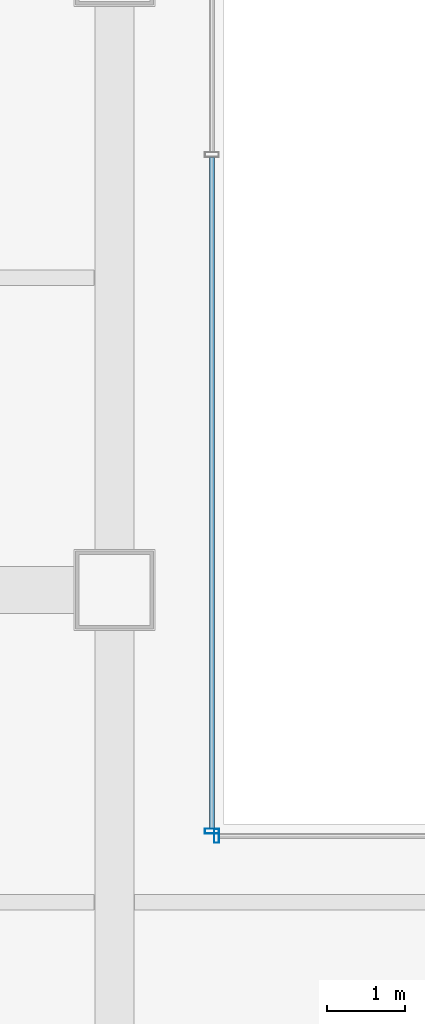
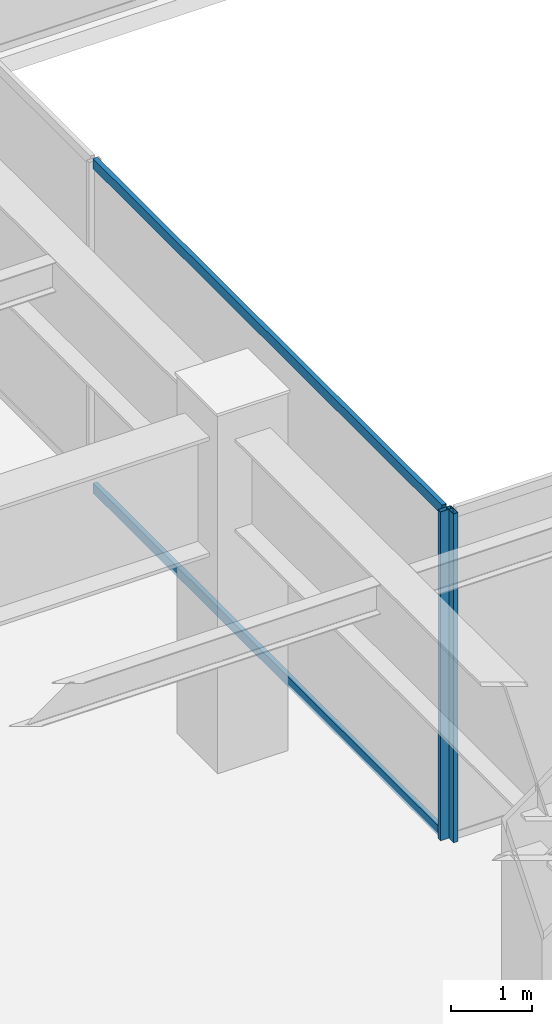
# One storey, part 15 of 42: 4 members, 2 elements without a shape of their own.
"""IFC4 building model written with IfcOpenShell, lengths in metres."""

from ifc_helpers import new_model, si_unit, direction, frame, origin, origin_2d, place, context, subcontext, project, spatial, hollow_rectangle, extrude, material, material_profile, profile_set, type_object, element, aggregate, save


model = new_model("IFC4")

# Units and contexts
model_context = context("Model", 3, precision=1e-05, world=origin(), true_north=direction((0.0, 1.0)))
body_context = subcontext(model_context, "Body", "Model", "MODEL_VIEW")
ifc_project = project(units=[si_unit("LENGTHUNIT", "METRE"), si_unit("AREAUNIT", "SQUARE_METRE"), si_unit("VOLUMEUNIT", "CUBIC_METRE"), si_unit("PLANEANGLEUNIT", "RADIAN"), si_unit("MASSUNIT", "GRAM", prefix="KILO")], contexts=[model_context])

# Site, building, storey
site_placement = place(None, origin())
site = spatial("IfcSite", under=ifc_project, at=site_placement, CompositionType="ELEMENT")
building_placement = place(site_placement, origin())
building = spatial("IfcBuilding", under=site, at=building_placement, Name="Saevonmaru Cultural Tower", CompositionType="ELEMENT")
storey_placement = place(building_placement, frame((0.0, 0.0, 33.0)))
storey = spatial("IfcBuildingStorey", under=building, at=storey_placement, Name="L06", CompositionType="ELEMENT", Elevation=33.0)

# Curtain wall, member
ifc_material = material(Name="Satin Bronze Anodised Aluminium", Category="aluminium")
curtain_wall_type = type_object("IfcCurtainWallType", Name="CW-ATR-GLZ", PredefinedType="NOTDEFINED", material=ifc_material)
curtain_wall_1_placement = place(storey_placement, origin())
curtain_wall_1 = element("IfcCurtainWall", 1, at=curtain_wall_1_placement, inside=storey, type_object=curtain_wall_type, Name="L06 Vertical Atrium Glazed Smoke Screen 1", PredefinedType="NOTDEFINED")
ifc_material_profile_1 = material_profile(ifc_material, hollow_rectangle(XDim=0.06494140625, YDim=0.179931640625, WallThickness=0.00390625, at=origin_2d()), Name="ALU-MULL-180x65x4")
ifc_profile_set_1 = profile_set([ifc_material_profile_1], Name="Satin Bronze Anodised Aluminium")
member_type_1 = type_object("IfcMemberType", Name="ML-CW-INT-180x65", PredefinedType="MULLION", material=ifc_profile_set_1)
member_1_placement = place(storey_placement, frame((24.110107421875, 20.85009765625, 0.0), z_axis=(0.0, 0.0, 1.0), x_axis=(1.0, 0.0, 0.0)))
member_1 = element("IfcMember", 2, at=member_1_placement, type_object=member_type_1, Name="CW-ATR-L06-1 mullion 1", PredefinedType="MULLION", context=body_context, shape_type="SweptSolid", body=[
    extrude(hollow_rectangle(XDim=0.06494140625, YDim=0.179931640625, WallThickness=0.00390625, at=origin_2d()), origin(), (0.0, 0.0, 1.0), 4.949951171875),
])
aggregate(curtain_wall_1, [member_1])

# Curtain wall, members
curtain_wall_2_placement = place(storey_placement, origin())
curtain_wall_2 = element("IfcCurtainWall", 3, at=curtain_wall_2_placement, inside=storey, type_object=curtain_wall_type, Name="L06 Vertical Atrium Glazed Smoke Screen 4", PredefinedType="NOTDEFINED")
member_2_placement = place(storey_placement, frame((24.050048828125, 20.909912109375, 0.0), z_axis=(0.0, 0.0, 1.0), x_axis=(0.0, -1.0, 0.0)))
member_2 = element("IfcMember", 4, at=member_2_placement, type_object=member_type_1, Name="CW-ATR-L06-4 mullion 3", PredefinedType="MULLION", context=body_context, shape_type="SweptSolid", body=[
    extrude(hollow_rectangle(XDim=0.06494140625, YDim=0.179931640625, WallThickness=0.00390625, at=origin_2d()), origin(), (0.0, 0.0, 1.0), 4.949951171875),
])
ifc_material_profile_2 = material_profile(ifc_material, hollow_rectangle(XDim=0.06494140625, YDim=0.14990234375, WallThickness=0.00390625, at=origin_2d()), Name="ALU-TRAN-150x65x4")
ifc_profile_set_2 = profile_set([ifc_material_profile_2], Name="Satin Bronze Anodised Aluminium")
member_type_2 = type_object("IfcMemberType", Name="TR-CW-INT-150x65", PredefinedType="USERDEFINED", material=ifc_profile_set_2)
member_3_placement = place(storey_placement, frame((24.050048828125, 29.547607421875, 0.032470703125), z_axis=(0.0, -1.0, 0.0), x_axis=(1.0, 0.0, 0.0)))
member_3 = element("IfcMember", 5, at=member_3_placement, type_object=member_type_2, Name="CW-ATR-L06-4 transom 2.1", ObjectType="TRANSOM", PredefinedType="USERDEFINED", context=body_context, shape_type="SweptSolid", body=[
    extrude(hollow_rectangle(XDim=0.06494140625, YDim=0.14990234375, WallThickness=0.00390625, at=origin_2d()), origin(), (0.0, 0.0, 1.0), 8.605224609375),
])
member_4_placement = place(storey_placement, frame((24.050048828125, 29.547607421875, 4.91748046875), z_axis=(0.0, -1.0, 0.0), x_axis=(1.0, 0.0, 0.0)))
member_4 = element("IfcMember", 6, at=member_4_placement, type_object=member_type_2, Name="CW-ATR-L06-4 transom 2.2", ObjectType="TRANSOM", PredefinedType="USERDEFINED", context=body_context, shape_type="SweptSolid", body=[
    extrude(hollow_rectangle(XDim=0.06494140625, YDim=0.14990234375, WallThickness=0.00390625, at=origin_2d()), origin(), (0.0, 0.0, 1.0), 8.605224609375),
])
aggregate(curtain_wall_2, [member_2, member_3, member_4])

save(model, "model.ifc")
